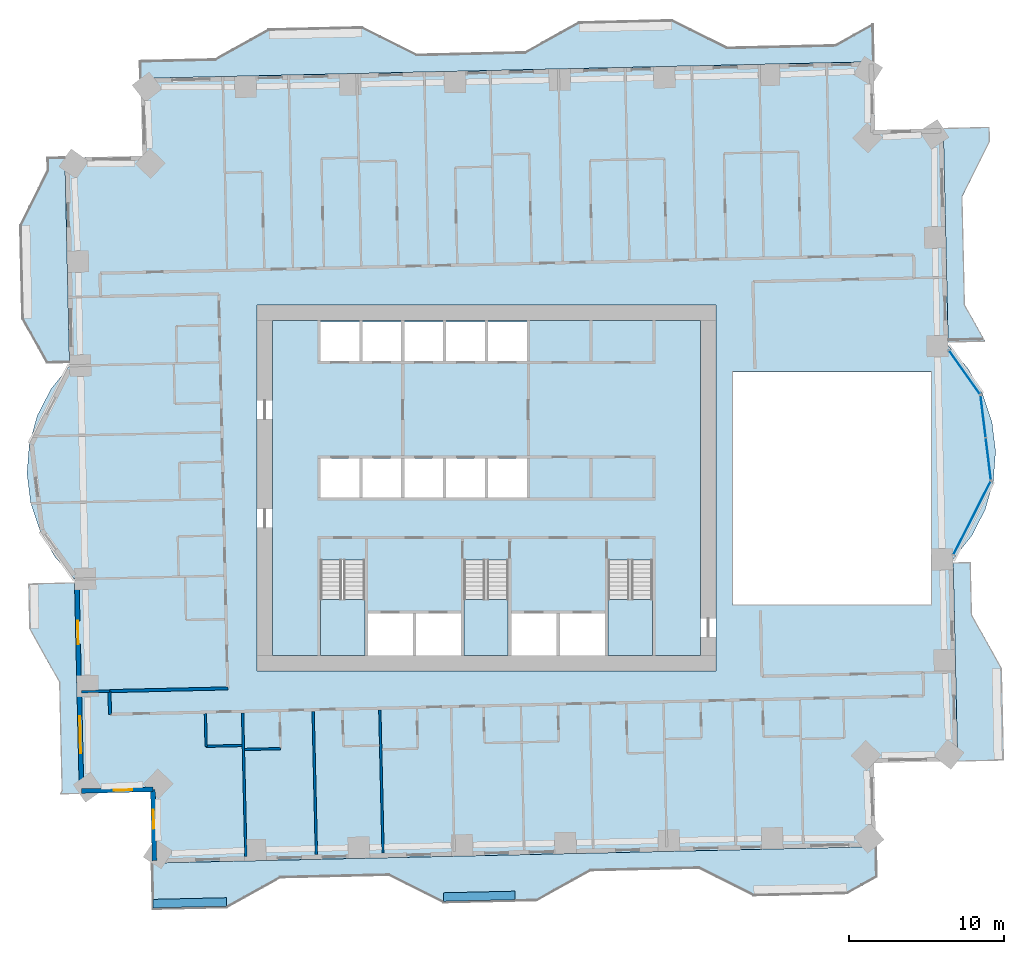
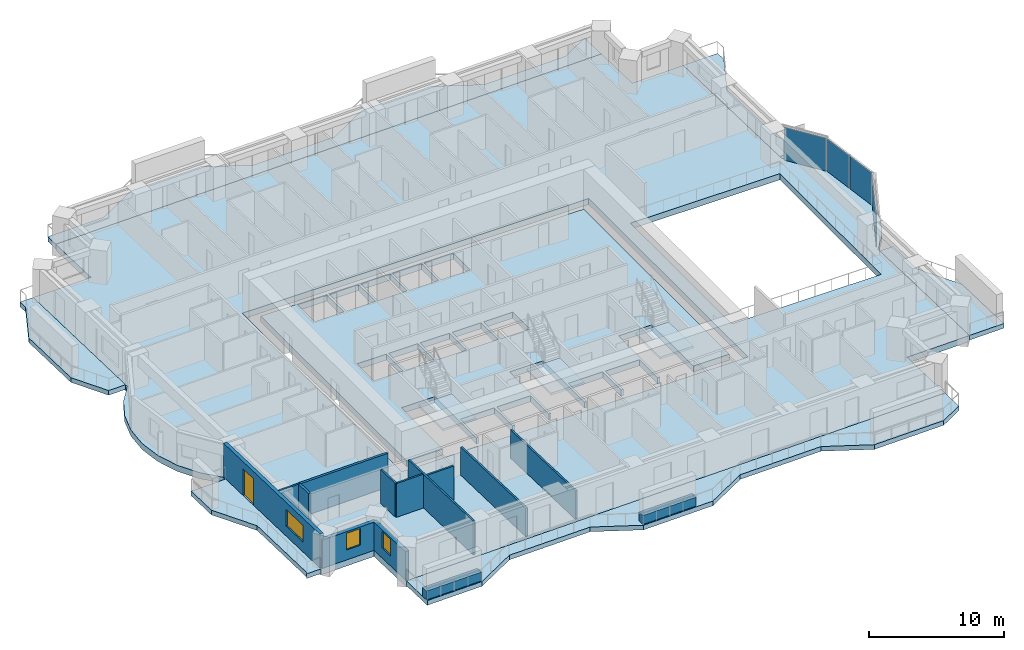
# One storey, part 5 of 17: 14 walls, 11 slabs, 4 plates, 3 windows, 1 door, 4 openings, 6 elements without a shape of their own.
"""IFC4 building model written with IfcOpenShell, lengths in metres."""

from ifc_helpers import new_model, si_unit, direction, frame, frame_2d, origin, origin_2d, place, context, subcontext, project, spatial, polyline, rectangle, outline, extrude, material, layer, layer_set, type_object, element, fill, aggregate, save


model = new_model("IFC4")

# Units and contexts
model_context = context("Model", 3, precision=1e-05, world=origin(), true_north=direction((0.0, 1.0)))
body_context = subcontext(model_context, "Body", "Model", "MODEL_VIEW")
ifc_project = project(units=[si_unit("LENGTHUNIT", "METRE"), si_unit("AREAUNIT", "SQUARE_METRE"), si_unit("VOLUMEUNIT", "CUBIC_METRE"), si_unit("PLANEANGLEUNIT", "RADIAN"), si_unit("MASSUNIT", "GRAM", prefix="KILO")], contexts=[model_context])

# Site, building, storey
site_placement = place(None, origin())
site = spatial("IfcSite", under=ifc_project, at=site_placement, CompositionType="ELEMENT")
building_placement = place(site_placement, origin())
building = spatial("IfcBuilding", under=site, at=building_placement, Name="Mangrove Gate Tower", CompositionType="ELEMENT")
storey_placement = place(building_placement, frame((0.0, 0.0, 90.10009765625)))
storey = spatial("IfcBuildingStorey", under=building, at=storey_placement, Name="L22", CompositionType="ELEMENT", Elevation=90.10009765625)

# Curtain wall, plate
ifc_material_1 = material(Name="Aluminium and glass curtain wall", Category="aluminium")
curtain_wall_type = type_object("IfcCurtainWallType", Name="Atrium garden-court glazing wall", PredefinedType="NOTDEFINED", material=ifc_material_1)
curtain_wall_1_placement = place(storey_placement, origin())
curtain_wall_1 = element("IfcCurtainWall", 1, at=curtain_wall_1_placement, inside=storey, type_object=curtain_wall_type, Name="Atrium garden-court glazing E1f1", PredefinedType="NOTDEFINED")
ifc_material_2 = material(Name="Laminated low-e glass", Category="glass")
ifc_layer_1 = layer(ifc_material_2, 0.031982421875)
ifc_layer_set_1 = layer_set([ifc_layer_1], Name="Atrium garden-court glazing panel 32")
plate_type = type_object("IfcPlateType", Name="Atrium garden-court glazing panel 32", PredefinedType="CURTAIN_PANEL", material=ifc_layer_set_1)
plate_1_placement = place(storey_placement, frame((31.310791015625, -1.928466796875, 0.0), z_axis=(0.0, 0.0, 1.0), x_axis=(0.452580762064, 0.891723417776, 0.0)))
plate_1 = element("IfcPlate", 2, at=plate_1_placement, type_object=plate_type, Name="CWA panel 1.1", PredefinedType="CURTAIN_PANEL", context=body_context, shape_type="SweptSolid", body=[
    extrude(rectangle(XDim=5.257568359375, YDim=0.031982421875, at=origin_2d()), origin(), (0.0, 0.0, 1.0), 2.97998046875),
])
aggregate(curtain_wall_1, [plate_1])

# Curtain wall, plates
curtain_wall_2_placement = place(storey_placement, origin())
curtain_wall_2 = element("IfcCurtainWall", 3, at=curtain_wall_2_placement, inside=storey, type_object=curtain_wall_type, Name="Atrium garden-court glazing E1f2", PredefinedType="NOTDEFINED")
plate_2_placement = place(storey_placement, frame((32.35986328125, 1.87841796875, 0.0), z_axis=(0.0, 0.0, 1.0), x_axis=(-0.122172286076, 0.992508908028, 0.0)))
plate_2 = element("IfcPlate", 4, at=plate_2_placement, type_object=plate_type, Name="CWA panel 1.1", PredefinedType="CURTAIN_PANEL", context=body_context, shape_type="SweptSolid", body=[
    extrude(rectangle(XDim=2.681640625, YDim=0.031982421875, at=origin_2d()), origin(), (0.0, 0.0, 1.0), 2.97998046875),
])
plate_3_placement = place(storey_placement, frame((32.023681640625, 4.609619140625, 0.0), z_axis=(0.0, 0.0, 1.0), x_axis=(-0.122172286076, 0.992508908028, 0.0)))
plate_3 = element("IfcPlate", 5, at=plate_3_placement, type_object=plate_type, Name="CWA panel 2.1", PredefinedType="CURTAIN_PANEL", context=body_context, shape_type="SweptSolid", body=[
    extrude(rectangle(XDim=2.681640625, YDim=0.031982421875, at=origin_2d()), origin(), (0.0, 0.0, 1.0), 2.97998046875),
])
aggregate(curtain_wall_2, [plate_2, plate_3])

# Curtain wall, plate
curtain_wall_3_placement = place(storey_placement, origin())
curtain_wall_3 = element("IfcCurtainWall", 6, at=curtain_wall_3_placement, inside=storey, type_object=curtain_wall_type, Name="Atrium garden-court glazing E1f3", PredefinedType="NOTDEFINED")
plate_4_placement = place(storey_placement, frame((30.81982421875, 7.465576171875, 0.0), z_axis=(0.0, 0.0, 1.0), x_axis=(-0.578109291006, 0.815959341911, 0.0)))
plate_4 = element("IfcPlate", 7, at=plate_4_placement, type_object=plate_type, Name="CWA panel 1.1", PredefinedType="CURTAIN_PANEL", context=body_context, shape_type="SweptSolid", body=[
    extrude(rectangle(XDim=3.42822265625, YDim=0.031982421875, at=origin_2d()), origin(), (0.0, 0.0, 1.0), 2.97998046875),
])
aggregate(curtain_wall_3, [plate_4])

# Slabs
ifc_material_3 = material(Name="Porcelain tile")
ifc_layer_2 = layer(ifc_material_3, 0.02001953125, Name="Tile finish")
ifc_material_4 = material(Name="Cement sand screed")
ifc_layer_3 = layer(ifc_material_4, 0.0400390625, Name="Screed laid to falls")
ifc_material_5 = material(Name="Bituminous waterproofing membrane")
ifc_layer_4 = layer(ifc_material_5, 0.00390625, Name="Waterproofing")
ifc_material_6 = material(Name="Concrete C40/50", Category="concrete")
ifc_layer_5 = layer(ifc_material_6, 0.340087890625, Name="Balcony structural slab")
ifc_material_7 = material(Name="Limestone", Category="masonry")
ifc_layer_6 = layer(ifc_material_7, 0.01611328125, Name="Soffit lining")
ifc_layer_set_2 = layer_set([ifc_layer_2, ifc_layer_3, ifc_layer_4, ifc_layer_5, ifc_layer_6], Name="Balcony slab 420 C40/50")
slab_type_1 = type_object("IfcSlabType", Name="Balcony slab 420 C40/50", PredefinedType="FLOOR", material=ifc_layer_set_2)
slab_1_placement = place(storey_placement, frame((0.0, 0.0, -0.420166015625)))
element("IfcSlab", 8, at=slab_1_placement, inside=storey, type_object=slab_type_1, Name="BALCONY L22 E0", PredefinedType="FLOOR", context=body_context, shape_type="SweptSolid", body=[
    extrude(outline(polyline([(33.368896484375, -17.533935546875), (33.236083984375, -11.635986328125), (31.306884765625, -8.178955078125), (31.22998046875, -4.804931640625), (30.090087890625, -4.8310546875), (30.1669921875, -8.2041015625), (30.24609375, -11.7041015625), (30.3798828125, -17.60205078125), (33.368896484375, -17.533935546875)])), origin(), (0.0, 0.0, 1.0), 0.420166015625),
])
slab_2_placement = place(storey_placement, frame((0.0, 0.0, -0.420166015625)))
element("IfcSlab", 9, at=slab_2_placement, inside=storey, type_object=slab_type_1, Name="BALCONY L22 E1", PredefinedType="FLOOR", context=body_context, shape_type="SweptSolid", body=[
    extrude(outline(polyline([(32.162109375, 9.470947265625), (30.85302734375, 11.81591796875), (30.694091796875, 18.81396484375), (32.464111328125, 22.35595703125), (32.444091796875, 23.2548828125), (29.455078125, 23.18701171875), (29.47509765625, 22.2880859375), (29.553955078125, 18.7890625), (29.712890625, 11.7900390625), (29.76708984375, 9.416015625), (32.162109375, 9.470947265625)])), origin(), (0.0, 0.0, 1.0), 0.420166015625),
])
slab_3_placement = place(storey_placement, frame((0.0, 0.0, -0.420166015625)))
element("IfcSlab", 10, at=slab_3_placement, inside=storey, type_object=slab_type_1, Name="BALCONY L22 N0", PredefinedType="FLOOR", context=body_context, shape_type="SweptSolid", body=[
    extrude(outline(polyline([(24.90087890625, 29.9140625), (22.4951171875, 28.571044921875), (15.49609375, 28.412109375), (11.955078125, 30.181884765625), (5.95703125, 30.0458984375), (2.5, 28.116943359375), (-4.498046875, 27.958984375), (-8.0400390625, 29.72900390625), (-14.0380859375, 29.592041015625), (-17.4951171875, 27.6630859375), (-22.330078125, 27.553955078125), (-22.303955078125, 26.4140625), (1.325927734375, 26.949951171875), (2.52587890625, 26.97802734375), (24.9560546875, 27.487060546875), (24.90087890625, 29.9140625)])), origin(), (0.0, 0.0, 1.0), 0.420166015625),
])
slab_4_placement = place(storey_placement, frame((0.0, 0.0, -0.420166015625)))
element("IfcSlab", 11, at=slab_4_placement, inside=storey, type_object=slab_type_1, Name="BALCONY L22 W0", PredefinedType="FLOOR", context=body_context, shape_type="SweptSolid", body=[
    extrude(outline(polyline([(-28.3291015625, 21.27587890625), (-28.31103515625, 20.47607421875), (-30.0810546875, 16.93505859375), (-29.945068359375, 10.93701171875), (-28.361083984375, 8.096923828125), (-26.889892578125, 8.131103515625), (-26.9560546875, 11.0048828125), (-27.092041015625, 17.0029296875), (-27.1708984375, 20.501953125), (-27.18896484375, 21.302001953125), (-28.3291015625, 21.27587890625)])), origin(), (0.0, 0.0, 1.0), 0.420166015625),
])
slab_5_placement = place(storey_placement, frame((0.0, 0.0, -0.420166015625)))
element("IfcSlab", 12, at=slab_5_placement, inside=storey, type_object=slab_type_1, Name="BALCONY L22 W1", PredefinedType="FLOOR", context=body_context, shape_type="SweptSolid", body=[
    extrude(outline(polyline([(-29.555908203125, -6.18408203125), (-29.490966796875, -9.05810546875), (-27.56201171875, -12.514892578125), (-27.403076171875, -19.512939453125), (-27.50390625, -19.716064453125), (-26.259033203125, -19.68798828125), (-26.263916015625, -19.488037109375), (-26.422119140625, -12.489013671875), (-26.501953125, -8.989990234375), (-26.56689453125, -6.115966796875), (-29.555908203125, -6.18408203125)])), origin(), (0.0, 0.0, 1.0), 0.420166015625),
])
slab_6_placement = place(storey_placement, frame((0.0, 0.0, -0.420166015625)))
element("IfcSlab", 13, at=slab_6_placement, inside=storey, type_object=slab_type_1, Name="BALCONY L22 S0", PredefinedType="FLOOR", context=body_context, shape_type="SweptSolid", body=[
    extrude(outline(polyline([(-21.488037109375, -27.1708984375), (-16.7529296875, -27.06396484375), (-13.2958984375, -25.135009765625), (-6.298095703125, -24.97607421875), (-2.757080078125, -26.74609375), (3.241943359375, -26.610107421875), (6.698974609375, -24.680908203125), (13.697021484375, -24.52294921875), (17.238037109375, -26.2919921875), (23.236083984375, -26.156005859375), (25.14892578125, -25.089111328125), (25.10400390625, -23.123046875), (-21.555908203125, -24.181884765625), (-21.488037109375, -27.1708984375)])), origin(), (0.0, 0.0, 1.0), 0.420166015625),
])
ifc_material_8 = material(Name="Concrete C40/50", Category="concrete")
ifc_layer_7 = layer(ifc_material_8, 0.550048828125)
ifc_layer_set_3 = layer_set([ifc_layer_7], Name="Core floor slab 550 C40/50")
slab_type_2 = type_object("IfcSlabType", Name="Core floor slab 550 C40/50", PredefinedType="FLOOR", material=ifc_layer_set_3)
slab_7_placement = place(storey_placement, frame((0.0, 0.0, -0.550048828125)))
element("IfcSlab", 14, at=slab_7_placement, inside=storey, type_object=slab_type_2, Name="SLAB-L22-CORE-1", PredefinedType="FLOOR", context=body_context, shape_type="SweptSolid", body=[
    extrude(outline(polyline([(-13.800048828125, -10.800048828125), (-13.800048828125, 10.800048828125), (13.800048828125, 10.800048828125), (13.800048828125, -10.800048828125), (10.699951171875, -10.800048828125), (10.699951171875, -4.653076171875), (7.85009765625, -4.653076171875), (7.85009765625, -10.800048828125), (7.64990234375, -10.800048828125), (7.64990234375, -8.10009765625), (4.72509765625, -8.10009765625), (4.72509765625, -10.800048828125), (4.52490234375, -10.800048828125), (4.52490234375, -8.10009765625), (1.60009765625, -8.10009765625), (1.60009765625, -10.800048828125), (1.39990234375, -10.800048828125), (1.39990234375, -4.653076171875), (-1.449951171875, -4.653076171875), (-1.449951171875, -10.800048828125), (-1.64990234375, -10.800048828125), (-1.64990234375, -8.10009765625), (-4.550048828125, -8.10009765625), (-4.550048828125, -10.800048828125), (-4.75, -10.800048828125), (-4.75, -8.10009765625), (-7.64990234375, -8.10009765625), (-7.64990234375, -10.800048828125), (-7.85009765625, -10.800048828125), (-7.85009765625, -4.653076171875), (-10.699951171875, -4.653076171875), (-10.699951171875, -10.800048828125), (-13.800048828125, -10.800048828125)]), holes=[polyline([(-8.199951171875, -0.60009765625), (-8.199951171875, 1.89990234375), (-10.699951171875, 1.89990234375), (-10.699951171875, -0.60009765625), (-8.199951171875, -0.60009765625)]), polyline([(-5.5, -0.60009765625), (-5.5, 1.89990234375), (-8.0, 1.89990234375), (-8.0, -0.60009765625), (-5.5, -0.60009765625)]), polyline([(-2.800048828125, -0.60009765625), (-2.800048828125, 1.89990234375), (-5.300048828125, 1.89990234375), (-5.300048828125, -0.60009765625), (-2.800048828125, -0.60009765625)]), polyline([(-8.199951171875, 8.199951171875), (-8.199951171875, 10.699951171875), (-10.699951171875, 10.699951171875), (-10.699951171875, 8.199951171875), (-8.199951171875, 8.199951171875)]), polyline([(-5.5, 8.199951171875), (-5.5, 10.699951171875), (-8.0, 10.699951171875), (-8.0, 8.199951171875), (-5.5, 8.199951171875)]), polyline([(-2.800048828125, 8.199951171875), (-2.800048828125, 10.699951171875), (-5.300048828125, 10.699951171875), (-5.300048828125, 8.199951171875), (-2.800048828125, 8.199951171875)]), polyline([(-0.10009765625, -0.60009765625), (-0.10009765625, 1.89990234375), (-2.60009765625, 1.89990234375), (-2.60009765625, -0.60009765625), (-0.10009765625, -0.60009765625)]), polyline([(2.60009765625, -0.60009765625), (2.60009765625, 1.89990234375), (0.10009765625, 1.89990234375), (0.10009765625, -0.60009765625), (2.60009765625, -0.60009765625)]), polyline([(-2.60009765625, 8.199951171875), (-0.10009765625, 8.199951171875), (-0.10009765625, 10.699951171875), (-2.60009765625, 10.699951171875), (-2.60009765625, 8.199951171875)]), polyline([(0.10009765625, 8.199951171875), (2.60009765625, 8.199951171875), (2.60009765625, 10.699951171875), (0.10009765625, 10.699951171875), (0.10009765625, 8.199951171875)])]), origin(), (0.0, 0.0, 1.0), 0.550048828125),
])

# Stair, slab
ifc_material_9 = material(Name="Concrete C40/50", Category="concrete")
stair_type = type_object("IfcStairType", Name="Core stair 1350", PredefinedType="HALF_TURN_STAIR", material=ifc_material_9)
stair_1_placement = place(storey_placement, origin())
stair_1 = element("IfcStair", 15, at=stair_1_placement, inside=storey, type_object=stair_type, Name="L22 Stair 1", PredefinedType="HALF_TURN_STAIR")
ifc_material_10 = material(Name="Concrete C40/50", Category="concrete")
ifc_layer_8 = layer(ifc_material_10, 0.199951171875)
ifc_layer_set_4 = layer_set([ifc_layer_8], Name="Core stair landing 200")
slab_type_3 = type_object("IfcSlabType", Name="Core stair landing 200", PredefinedType="LANDING", material=ifc_layer_set_4)
slab_8_placement = place(storey_placement, frame((0.0, 0.0, 1.599853515625)))
slab_8 = element("IfcSlab", 16, at=slab_8_placement, type_object=slab_type_3, Name="ST1 landing 1", PredefinedType="LANDING", context=body_context, shape_type="SweptSolid", body=[
    extrude(outline(polyline([(-10.699951171875, -7.169921875), (-10.699951171875, -10.800048828125), (-7.85009765625, -10.800048828125), (-7.85009765625, -7.169921875), (-10.699951171875, -7.169921875)])), origin(), (0.0, 0.0, 1.0), 0.199951171875),
])
aggregate(stair_1, [slab_8])

stair_2_placement = place(storey_placement, origin())
stair_2 = element("IfcStair", 17, at=stair_2_placement, inside=storey, type_object=stair_type, Name="L22 Stair 2", PredefinedType="HALF_TURN_STAIR")
slab_9_placement = place(storey_placement, frame((0.0, 0.0, 1.599853515625)))
slab_9 = element("IfcSlab", 18, at=slab_9_placement, type_object=slab_type_3, Name="ST2 landing 1", PredefinedType="LANDING", context=body_context, shape_type="SweptSolid", body=[
    extrude(outline(polyline([(-1.449951171875, -7.169921875), (-1.449951171875, -10.800048828125), (1.39990234375, -10.800048828125), (1.39990234375, -7.169921875), (-1.449951171875, -7.169921875)])), origin(), (0.0, 0.0, 1.0), 0.199951171875),
])
aggregate(stair_2, [slab_9])

stair_3_placement = place(storey_placement, origin())
stair_3 = element("IfcStair", 19, at=stair_3_placement, inside=storey, type_object=stair_type, Name="L22 Stair 3", PredefinedType="HALF_TURN_STAIR")
slab_10_placement = place(storey_placement, frame((0.0, 0.0, 1.599853515625)))
slab_10 = element("IfcSlab", 20, at=slab_10_placement, type_object=slab_type_3, Name="ST3 landing 1", PredefinedType="LANDING", context=body_context, shape_type="SweptSolid", body=[
    extrude(outline(polyline([(7.85009765625, -7.169921875), (7.85009765625, -10.800048828125), (10.699951171875, -10.800048828125), (10.699951171875, -7.169921875), (7.85009765625, -7.169921875)])), origin(), (0.0, 0.0, 1.0), 0.199951171875),
])
aggregate(stair_3, [slab_10])

# Slab
ifc_material_11 = material(Name="Concrete C40/50", Category="concrete")
ifc_layer_9 = layer(ifc_material_11, 0.550048828125)
ifc_layer_set_5 = layer_set([ifc_layer_9], Name="Floor slab 550 C40/50")
slab_type_4 = type_object("IfcSlabType", Name="Floor slab 550 C40/50", PredefinedType="FLOOR", material=ifc_layer_set_5)
slab_11_placement = place(storey_placement, frame((0.0, 0.0, -0.550048828125)))
element("IfcSlab", 21, at=slab_11_placement, inside=storey, type_object=slab_type_4, Name="Floor slab L22", PredefinedType="FLOOR", context=body_context, shape_type="SweptSolid", body=[
    extrude(outline(polyline([(-21.555908203125, -24.181884765625), (25.10400390625, -23.123046875), (24.981689453125, -17.724609375), (30.380126953125, -17.60205078125), (30.084716796875, -4.58056640625), (31.28125, -3.08837890625), (32.158203125, -1.388427734375), (32.6806640625, 0.45166015625), (32.827880859375, 2.358642578125), (32.59423828125, 4.257080078125), (31.98876953125, 6.071533203125), (31.03564453125, 7.72998046875), (29.772705078125, 9.16650390625), (29.45458984375, 23.1875), (25.0556640625, 23.087646484375), (24.955810546875, 27.486572265625), (-22.303955078125, 26.4140625), (-22.1904296875, 21.415283203125), (-27.189208984375, 21.302001953125), (-26.884765625, 7.880615234375), (-28.081298828125, 6.388427734375), (-28.958251953125, 4.6884765625), (-29.480712890625, 2.848388671875), (-29.6279296875, 0.94140625), (-29.394287109375, -0.95703125), (-28.788818359375, -2.771484375), (-27.835693359375, -4.429931640625), (-26.57275390625, -5.866455078125), (-26.259033203125, -19.6875), (-21.66015625, -19.583251953125), (-21.555908203125, -24.181884765625)]), holes=[polyline([(15.89990234375, 7.5), (28.658935546875, 7.5), (28.658935546875, -7.5), (15.89990234375, -7.5), (15.89990234375, 7.5)]), polyline([(-14.800048828125, -11.800048828125), (-14.800048828125, 11.800048828125), (14.800048828125, 11.800048828125), (14.800048828125, -11.800048828125), (-14.800048828125, -11.800048828125)])]), origin(), (0.0, 0.0, 1.0), 0.550048828125),
])

# Walls
ifc_material_12 = material(Name="Gypsum board on steel stud, EI 60", Category="steel")
ifc_layer_10 = layer(ifc_material_12, 0.199951171875)
ifc_layer_set_6 = layer_set([ifc_layer_10], Name="Corridor wall EI 60")
wall_type_1 = type_object("IfcWallType", Name="Corridor wall EI 60", PredefinedType="PARTITIONING", material=ifc_layer_set_6)
wall_1_placement = place(storey_placement, frame((-24.278076171875, -14.591064453125, 0.0), z_axis=(0.0, 0.0, 1.0), x_axis=(-0.022632637625, 0.99974384905, 0.0)))
element("IfcWall", 22, at=wall_1_placement, inside=storey, type_object=wall_type_1, Name="WALL-L22-029", PredefinedType="PARTITIONING", context=body_context, shape_type="SweptSolid", body=[
    extrude(rectangle(XDim=1.49951171875, YDim=0.199951171875, at=frame_2d((0.749755859375, 0.0))), origin(), (0.0, 0.0, 1.0), 3.0498046875),
])
wall_2_placement = place(storey_placement, frame((-24.30810546875, -13.092041015625, 0.0), z_axis=(0.0, 0.0, 1.0), x_axis=(0.999739800004, 0.022810793222, 0.0)))
element("IfcWall", 23, at=wall_2_placement, inside=storey, type_object=wall_type_1, Name="WALL-L22-033", PredefinedType="PARTITIONING", context=body_context, shape_type="SweptSolid", body=[
    extrude(rectangle(XDim=7.631103515625, YDim=0.199951171875, at=frame_2d((3.8154296875, 0.0))), origin(), (0.0, 0.0, 1.0), 3.0498046875),
])

# Wall, openings, door, window
ifc_layer_11 = layer(ifc_material_7, 0.0400390625, Name="Limestone cladding")
ifc_material_13 = material(Name="Ventilated air gap")
ifc_layer_12 = layer(ifc_material_13, 0.0400390625, Name="Ventilated cavity")
ifc_material_14 = material(Name="Mineral wool insulation")
ifc_layer_13 = layer(ifc_material_14, 0.06005859375, Name="Insulation")
ifc_material_15 = material(Name="Breather membrane")
ifc_layer_14 = layer(ifc_material_15, 0.001953125, Name="Breather membrane")
ifc_material_16 = material(Name="Concrete C20/25 blockwork", Category="masonry")
ifc_layer_15 = layer(ifc_material_16, 0.14990234375, Name="Blockwork backing wall")
ifc_material_17 = material(Name="Gypsum plaster")
ifc_layer_16 = layer(ifc_material_17, 0.008056640625, Name="Internal plaster")
ifc_layer_set_7 = layer_set([ifc_layer_11, ifc_layer_12, ifc_layer_13, ifc_layer_14, ifc_layer_15, ifc_layer_16], Name="External wall 300 limestone cladding")
wall_type_2 = type_object("IfcWallType", Name="External wall 300 limestone cladding", PredefinedType="SOLIDWALL", material=ifc_layer_set_7)
wall_3_placement = place(storey_placement, frame((-26.424072265625, -5.80810546875, 0.0), z_axis=(0.0, 0.0, 1.0), x_axis=(0.022654755793, -0.999743348085, 0.0)))
wall_3 = element("IfcWall", 24, at=wall_3_placement, inside=storey, type_object=wall_type_2, Name="WALL-L22-W10", PredefinedType="SOLIDWALL", context=body_context, shape_type="SweptSolid", body=[
    extrude(rectangle(XDim=13.729248046875, YDim=0.300048828125, at=frame_2d((6.86474609375, 0.0))), origin(), (0.0, 0.0, 1.0), 3.0498046875),
])
opening_1_placement = place(wall_3_placement, frame((2.760986328125, 0.0, 0.0)))
opening_1 = element("IfcOpeningElement", 25, at=opening_1_placement, cuts=wall_3, Name="Opening BD1", PredefinedType="OPENING", context=body_context, shape_type="SweptSolid", body=[
    extrude(rectangle(XDim=1.5, YDim=2.39990234375, at=frame_2d((0.75, 1.199951171875))), frame((0.0, 0.159912109375, 0.0), z_axis=(0.0, -1.0, 0.0), x_axis=(1.0, 0.0, 0.0)), (0.0, 0.0, 1.0), 0.320068359375),
])
opening_2_placement = place(wall_3_placement, frame((8.89404296875, 0.0, 0.89990234375)))
opening_2 = element("IfcOpeningElement", 26, at=opening_2_placement, cuts=wall_3, Name="Opening W2", PredefinedType="OPENING", context=body_context, shape_type="SweptSolid", body=[
    extrude(rectangle(XDim=2.39990234375, YDim=1.5, at=frame_2d((1.199951171875, 0.75))), frame((0.0, 0.159912109375, 0.0), z_axis=(0.0, -1.0, 0.0), x_axis=(1.0, 0.0, 0.0)), (0.0, 0.0, 1.0), 0.320068359375),
])
ifc_material_18 = material(Name="Aluminium frame with laminated clear glass", Category="aluminium")
door_type = type_object("IfcDoorType", Name="Balcony sliding door 1500x2400", OperationType="SLIDING_TO_LEFT", PredefinedType="DOOR", material=ifc_material_18)
door_placement = place(opening_1_placement, origin())
door = element("IfcDoor", 27, at=door_placement, inside=storey, type_object=door_type, Name="DOOR-L22-W10-1", OperationType="SLIDING_TO_LEFT", OverallHeight=2.39990234375, OverallWidth=1.5, PredefinedType="DOOR", context=body_context, shape_type="SweptSolid", body=[
    extrude(rectangle(XDim=1.5, YDim=2.39990234375, at=frame_2d((0.75, 1.199951171875))), frame((0.0, 0.02490234375, 0.0), z_axis=(0.0, -1.0, 0.0), x_axis=(1.0, 0.0, 0.0)), (0.0, 0.0, 1.0), 0.050048828125),
])
fill(opening_1, door)
ifc_material_19 = material(Name="Aluminium frame with double-glazed low-e glass", Category="aluminium")
window_type_1 = type_object("IfcWindowType", Name="Corner room window 2400x1500", PartitioningType="DOUBLE_PANEL_VERTICAL", PredefinedType="WINDOW", material=ifc_material_19)
window_1_placement = place(opening_2_placement, origin())
window_1 = element("IfcWindow", 28, at=window_1_placement, inside=storey, type_object=window_type_1, Name="WIN-L22-W10-2", OverallHeight=1.5, OverallWidth=2.39990234375, PartitioningType="DOUBLE_PANEL_VERTICAL", PredefinedType="WINDOW", context=body_context, shape_type="SweptSolid", body=[
    extrude(rectangle(XDim=2.39990234375, YDim=1.5, at=frame_2d((1.199951171875, 0.75))), frame((0.0, 0.030029296875, 0.0), z_axis=(0.0, -1.0, 0.0), x_axis=(1.0, 0.0, 0.0)), (0.0, 0.0, 1.0), 0.06005859375),
])
fill(opening_2, window_1)

# Wall, opening, window
wall_4_placement = place(storey_placement, frame((-26.113037109375, -19.533935546875, 0.0), z_axis=(0.0, 0.0, 1.0), x_axis=(0.999744404568, 0.02260808559, 0.0)))
wall_4 = element("IfcWall", 29, at=wall_4_placement, inside=storey, type_object=wall_type_2, Name="WALL-L22-S11", PredefinedType="SOLIDWALL", context=body_context, shape_type="SweptSolid", body=[
    extrude(rectangle(XDim=4.600341796875, YDim=0.300048828125, at=frame_2d((2.30029296875, 0.0))), origin(), (0.0, 0.0, 1.0), 2.5498046875),
])
opening_3_placement = place(wall_4_placement, frame((2.0791015625, 0.0, 0.89990234375)))
opening_3 = element("IfcOpeningElement", 30, at=opening_3_placement, cuts=wall_4, Name="Opening W1", PredefinedType="OPENING", context=body_context, shape_type="SweptSolid", body=[
    extrude(rectangle(XDim=1.199951171875, YDim=1.5, at=frame_2d((0.60009765625, 0.75))), frame((0.0, 0.159912109375, 0.0), z_axis=(0.0, -1.0, 0.0), x_axis=(1.0, 0.0, 0.0)), (0.0, 0.0, 1.0), 0.320068359375),
])
ifc_material_20 = material(Name="Aluminium frame with double-glazed low-e glass", Category="aluminium")
window_type_2 = type_object("IfcWindowType", Name="Side lite 1200x1500", PartitioningType="SINGLE_PANEL", PredefinedType="WINDOW", material=ifc_material_20)
window_2_placement = place(opening_3_placement, origin())
window_2 = element("IfcWindow", 31, at=window_2_placement, inside=storey, type_object=window_type_2, Name="WIN-L22-S11-1", OverallHeight=1.5, OverallWidth=1.199951171875, PartitioningType="SINGLE_PANEL", PredefinedType="WINDOW", context=body_context, shape_type="SweptSolid", body=[
    extrude(rectangle(XDim=1.199951171875, YDim=1.5, at=frame_2d((0.60009765625, 0.75))), frame((0.0, 0.030029296875, 0.0), z_axis=(0.0, -1.0, 0.0), x_axis=(1.0, 0.0, 0.0)), (0.0, 0.0, 1.0), 0.06005859375),
])
fill(opening_3, window_2)

wall_5_placement = place(storey_placement, frame((-21.513916015625, -19.429931640625, 0.0), z_axis=(0.0, 0.0, 1.0), x_axis=(0.022820258049, -0.999739584003, 0.0)))
wall_5 = element("IfcWall", 32, at=wall_5_placement, inside=storey, type_object=wall_type_2, Name="WALL-L22-W12", PredefinedType="SOLIDWALL", context=body_context, shape_type="SweptSolid", body=[
    extrude(rectangle(XDim=4.600341796875, YDim=0.300048828125, at=frame_2d((2.30029296875, 0.0))), origin(), (0.0, 0.0, 1.0), 2.5498046875),
])
opening_4_placement = place(wall_5_placement, frame((1.322021484375, 0.0, 0.89990234375)))
opening_4 = element("IfcOpeningElement", 33, at=opening_4_placement, cuts=wall_5, Name="Opening W1", PredefinedType="OPENING", context=body_context, shape_type="SweptSolid", body=[
    extrude(rectangle(XDim=1.199951171875, YDim=1.5, at=frame_2d((0.60009765625, 0.75))), frame((0.0, 0.159912109375, 0.0), z_axis=(0.0, -1.0, 0.0), x_axis=(1.0, 0.0, 0.0)), (0.0, 0.0, 1.0), 0.320068359375),
])
window_3_placement = place(opening_4_placement, origin())
window_3 = element("IfcWindow", 34, at=window_3_placement, inside=storey, type_object=window_type_2, Name="WIN-L22-W12-1", OverallHeight=1.5, OverallWidth=1.199951171875, PartitioningType="SINGLE_PANEL", PredefinedType="WINDOW", context=body_context, shape_type="SweptSolid", body=[
    extrude(rectangle(XDim=1.199951171875, YDim=1.5, at=frame_2d((0.60009765625, 0.75))), frame((0.0, 0.030029296875, 0.0), z_axis=(0.0, -1.0, 0.0), x_axis=(1.0, 0.0, 0.0)), (0.0, 0.0, 1.0), 0.06005859375),
])
fill(opening_4, window_3)

# Walls
ifc_material_21 = material(Name="Gypsum board on steel stud, EI 60", Category="steel")
ifc_layer_17 = layer(ifc_material_21, 0.14990234375)
ifc_layer_set_8 = layer_set([ifc_layer_17], Name="Party wall 150 EI 60")
wall_type_3 = type_object("IfcWallType", Name="Party wall 150 EI 60", PredefinedType="PARTITIONING", material=ifc_layer_set_8)
wall_6_placement = place(storey_placement, frame((-15.51806640625, -23.7451171875, 0.0), z_axis=(0.0, 0.0, 1.0), x_axis=(-0.022697424684, 0.999742380272, 0.0)))
element("IfcWall", 35, at=wall_6_placement, inside=storey, type_object=wall_type_3, Name="WALL-L22-001", PredefinedType="PARTITIONING", context=body_context, shape_type="SweptSolid", body=[
    extrude(rectangle(XDim=9.25048828125, YDim=0.14990234375, at=frame_2d((4.625244140625, 0.0))), origin(), (0.0, 0.0, 1.0), 3.0498046875),
])
wall_7_placement = place(storey_placement, frame((-10.968994140625, -23.64208984375, 0.0), z_axis=(0.0, 0.0, 1.0), x_axis=(-0.022697424684, 0.999742380272, 0.0)))
element("IfcWall", 36, at=wall_7_placement, inside=storey, type_object=wall_type_3, Name="WALL-L22-002", PredefinedType="PARTITIONING", context=body_context, shape_type="SweptSolid", body=[
    extrude(rectangle(XDim=9.25048828125, YDim=0.14990234375, at=frame_2d((4.625244140625, 0.0))), origin(), (0.0, 0.0, 1.0), 2.5498046875),
])
wall_8_placement = place(storey_placement, frame((-6.6708984375, -23.544921875, 0.0), z_axis=(0.0, 0.0, 1.0), x_axis=(-0.022592505393, 0.999744756775, 0.0)))
element("IfcWall", 37, at=wall_8_placement, inside=storey, type_object=wall_type_3, Name="WALL-L22-003", PredefinedType="PARTITIONING", context=body_context, shape_type="SweptSolid", body=[
    extrude(rectangle(XDim=9.250244140625, YDim=0.14990234375, at=frame_2d((4.625, 0.0))), origin(), (0.0, 0.0, 1.0), 2.5498046875),
])
wall_9_placement = place(storey_placement, frame((-15.595947265625, -16.85498046875, 0.0), z_axis=(0.0, 0.0, 1.0), x_axis=(0.999740478815, 0.022781023197, 0.0)))
element("IfcWall", 38, at=wall_9_placement, inside=storey, type_object=wall_type_3, Name="WALL-L22-016", PredefinedType="PARTITIONING", context=body_context, shape_type="SweptSolid", body=[
    extrude(rectangle(XDim=2.325439453125, YDim=0.14990234375, at=frame_2d((1.16259765625, 0.0))), origin(), (0.0, 0.0, 1.0), 3.0498046875),
])
wall_10_placement = place(storey_placement, frame((-18.080078125, -16.65087890625, 0.0), z_axis=(0.0, 0.0, 1.0), x_axis=(-0.022792727877, 0.999740212033, 0.0)))
element("IfcWall", 39, at=wall_10_placement, inside=storey, type_object=wall_type_3, Name="WALL-L22-027", PredefinedType="PARTITIONING", context=body_context, shape_type="SweptSolid", body=[
    extrude(rectangle(XDim=2.099365234375, YDim=0.14990234375, at=frame_2d((1.0498046875, 0.0))), origin(), (0.0, 0.0, 1.0), 3.0498046875),
])
wall_11_placement = place(storey_placement, frame((-18.075927734375, -16.65087890625, 0.0), z_axis=(0.0, 0.0, 1.0), x_axis=(0.999740478815, 0.022781023197, 0.0)))
element("IfcWall", 40, at=wall_11_placement, inside=storey, type_object=wall_type_3, Name="WALL-L22-028", PredefinedType="PARTITIONING", context=body_context, shape_type="SweptSolid", body=[
    extrude(rectangle(XDim=2.325439453125, YDim=0.14990234375, at=frame_2d((1.16259765625, 0.0))), origin(), (0.0, 0.0, 1.0), 3.0498046875),
])
wall_12_placement = place(storey_placement, frame((-26.10791015625, -13.132080078125, 0.0), z_axis=(0.0, 0.0, 1.0), x_axis=(0.999752642043, 0.022240834685, 0.0)))
element("IfcWall", 41, at=wall_12_placement, inside=storey, type_object=wall_type_3, Name="WALL-L22-032", PredefinedType="PARTITIONING", context=body_context, shape_type="SweptSolid", body=[
    extrude(rectangle(XDim=1.80029296875, YDim=0.14990234375, at=frame_2d((0.900146484375, 0.0))), origin(), (0.0, 0.0, 1.0), 3.0498046875),
])
ifc_material_22 = material(Name="Concrete C32/40", Category="concrete")
ifc_layer_18 = layer(ifc_material_22, 0.199951171875, Name="Planter trough wall")
ifc_layer_19 = layer(ifc_material_5, 0.0048828125, Name="Waterproofing")
ifc_material_23 = material(Name="Drainage board and gravel")
ifc_layer_20 = layer(ifc_material_23, 0.044921875, Name="Drainage layer")
ifc_material_24 = material(Name="Planting soil")
ifc_layer_21 = layer(ifc_material_24, 0.300048828125, Name="Growing medium")
ifc_layer_set_9 = layer_set([ifc_layer_18, ifc_layer_19, ifc_layer_20, ifc_layer_21], Name="Planter wall 550 C32/40")
wall_type_4 = type_object("IfcWallType", Name="Planter wall 550 C32/40", PredefinedType="USERDEFINED", material=ifc_layer_set_9)
wall_13_placement = place(storey_placement, frame((-21.49609375, -26.7958984375, 0.0), z_axis=(0.0, 0.0, 1.0), x_axis=(0.999744993256, 0.022582038422, 0.0)))
element("IfcWall", 42, at=wall_13_placement, inside=storey, type_object=wall_type_4, Name="PLANTER L22 S0.1", ObjectType="PLANTER", PredefinedType="USERDEFINED", context=body_context, shape_type="SweptSolid", body=[
    extrude(rectangle(XDim=4.7353515625, YDim=0.550048828125, at=frame_2d((2.36767578125, 0.0))), origin(), (0.0, 0.0, 1.0), 0.7998046875),
])
wall_14_placement = place(storey_placement, frame((-2.764892578125, -26.37109375, 0.0), z_axis=(0.0, 0.0, 1.0), x_axis=(0.999744377441, 0.022609285172, 0.0)))
element("IfcWall", 43, at=wall_14_placement, inside=storey, type_object=wall_type_4, Name="PLANTER L22 S0.2", ObjectType="PLANTER", PredefinedType="USERDEFINED", context=body_context, shape_type="SweptSolid", body=[
    extrude(rectangle(XDim=4.60009765625, YDim=0.550048828125, at=frame_2d((2.300048828125, 0.0))), origin(), (0.0, 0.0, 1.0), 0.7998046875),
])

save(model, "model.ifc")
